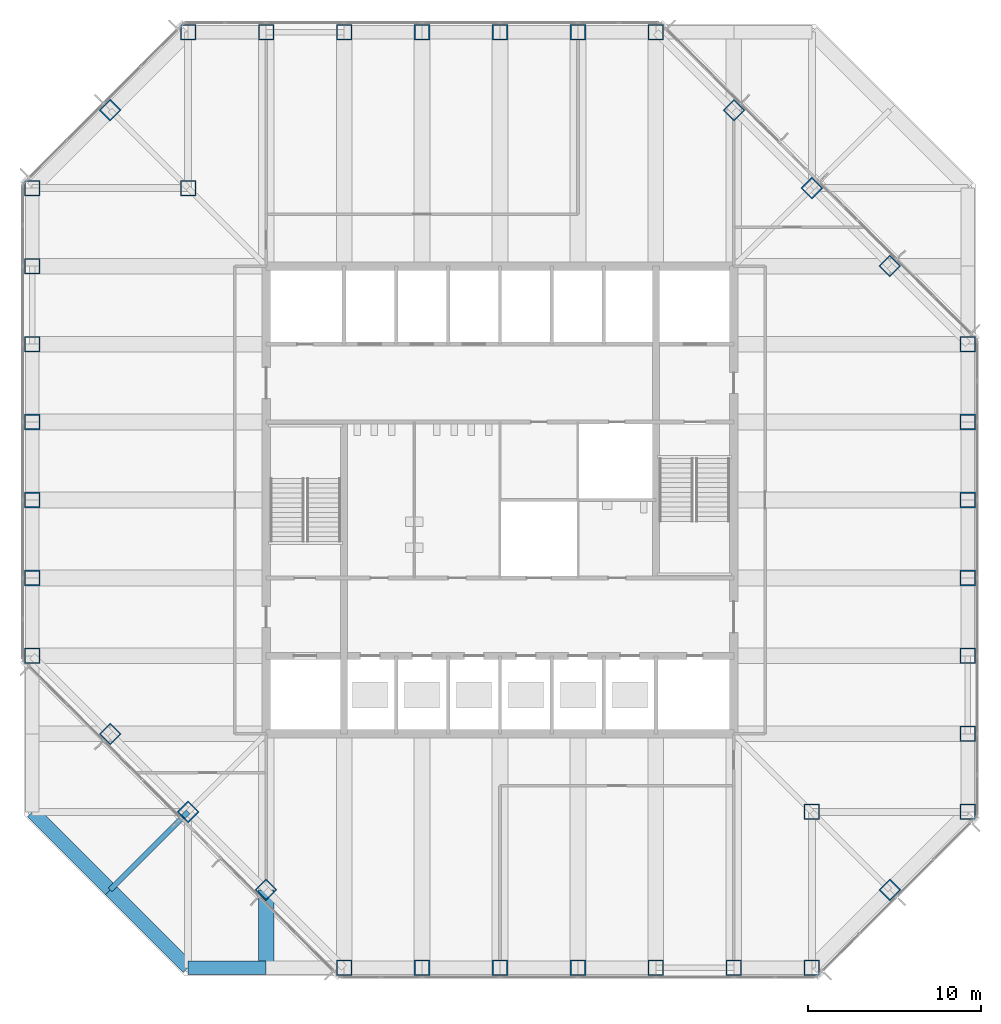
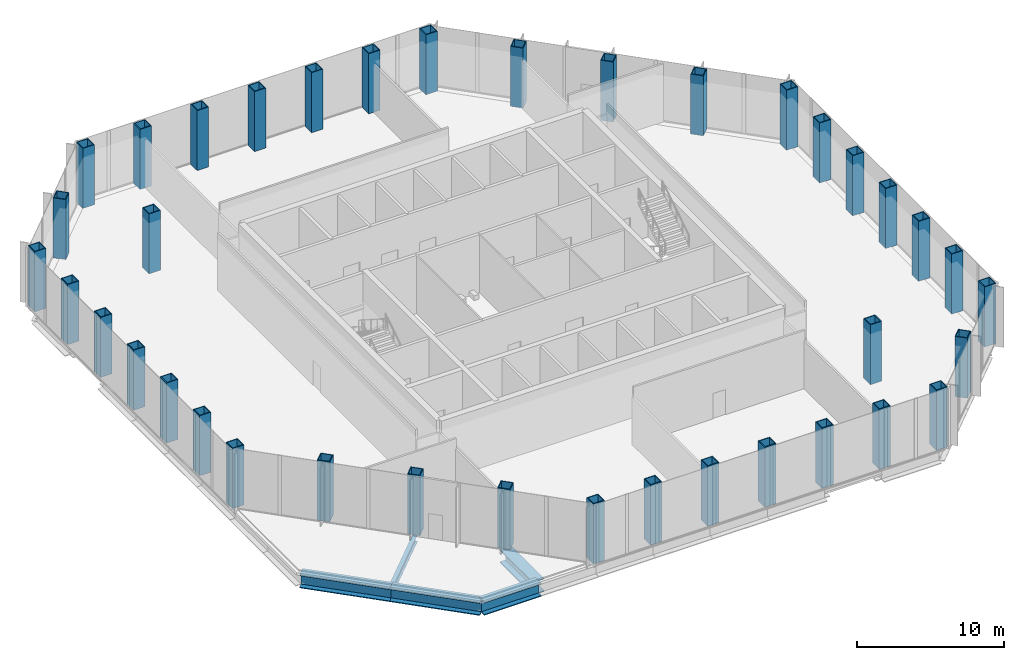
# One storey, part 1 of 12: 38 columns, 5 beams.
"""IFC4 building model written with IfcOpenShell, lengths in metres."""

from ifc_helpers import new_model, si_unit, direction, frame, origin, origin_2d, place, context, subcontext, project, spatial, hollow_rectangle, i_section, extrude, material, material_profile, profile_set, type_object, element, save


model = new_model("IFC4")

# Units and contexts
model_context = context("Model", 3, precision=1e-05, world=origin(), true_north=direction((0.0, 1.0)))
body_context = subcontext(model_context, "Body", "Model", "MODEL_VIEW")
ifc_project = project(units=[si_unit("LENGTHUNIT", "METRE"), si_unit("AREAUNIT", "SQUARE_METRE"), si_unit("VOLUMEUNIT", "CUBIC_METRE"), si_unit("PLANEANGLEUNIT", "RADIAN"), si_unit("MASSUNIT", "GRAM", prefix="KILO")], contexts=[model_context])

# Site, building, storey
site_placement = place(None, origin())
site = spatial("IfcSite", under=ifc_project, at=site_placement, CompositionType="ELEMENT")
building_placement = place(site_placement, origin())
building = spatial("IfcBuilding", under=site, at=building_placement, Name="Corais Broadcast Tower", CompositionType="ELEMENT")
storey_placement = place(building_placement, frame((0.0, 0.0, 110.60009765625)))
storey = spatial("IfcBuildingStorey", under=building, at=storey_placement, Name="L24", CompositionType="ELEMENT", Elevation=110.60009765625)

# Columns
ifc_material_1 = material(Name="Steel ASTM A572 Grade 50", Category="steel")
ifc_material_profile_1 = material_profile(ifc_material_1, hollow_rectangle(XDim=0.89990234375, YDim=0.89990234375, WallThickness=0.06298828125, at=origin_2d()), Name="BOX 900x900x63")
ifc_profile_set_1 = profile_set([ifc_material_profile_1], Name="Steel ASTM A572 Grade 50")
column_type = type_object("IfcColumnType", Name="Column BOX 900x900x63", PredefinedType="COLUMN", material=ifc_profile_set_1)
for number, where, z_axis, x_axis, name in (
    (1, (18.0, 0.0, 0.0), (0.0, 0.0, 1.0), (1.0, 0.0, 0.0), "C2 A/7"),
    (2, (22.5, 0.0, 0.0), (0.0, 0.0, 1.0), (1.0, 0.0, 0.0), "C2 A/8"),
    (3, (27.0, 0.0, 0.0), (0.0, 0.0, 1.0), (1.0, 0.0, 0.0), "C2 A/9"),
    (4, (31.5, 0.0, 0.0), (0.0, 0.0, 1.0), (1.0, 0.0, 0.0), "C2 A/10"),
    (5, (36.0, 0.0, 0.0), (0.0, 0.0, 1.0), (1.0, 0.0, 0.0), "C2 A/11"),
    (6, (40.5, 0.0, 0.0), (0.0, 0.0, 1.0), (1.0, 0.0, 0.0), "C2 A/12"),
    (7, (45.0, 0.0, 0.0), (0.0, 0.0, 1.0), (1.0, 0.0, 0.0), "C2 A/13"),
    (8, (54.0, 9.0, 0.0), (0.0, 0.0, 1.0), (1.0, 0.0, 0.0), "C2 C/15"),
    (9, (54.0, 13.5, 0.0), (0.0, 0.0, 1.0), (1.0, 0.0, 0.0), "C2 D/15"),
    (10, (54.0, 18.0, 0.0), (0.0, 0.0, 1.0), (1.0, 0.0, 0.0), "C2 E/15"),
    (11, (54.0, 22.5, 0.0), (0.0, 0.0, 1.0), (1.0, 0.0, 0.0), "C2 F/15"),
    (12, (54.0, 27.0, 0.0), (0.0, 0.0, 1.0), (1.0, 0.0, 0.0), "C2 G/15"),
    (13, (54.0, 31.5, 0.0), (0.0, 0.0, 1.0), (1.0, 0.0, 0.0), "C2 H/15"),
    (14, (54.0, 36.0, 0.0), (0.0, 0.0, 1.0), (1.0, 0.0, 0.0), "C2 J/15"),
    (15, (36.0, 54.0, 0.0), (0.0, 0.0, 1.0), (1.0, 0.0, 0.0), "C2 N/11"),
    (16, (31.5, 54.0, 0.0), (0.0, 0.0, 1.0), (1.0, 0.0, 0.0), "C2 N/10"),
    (17, (27.0, 54.0, 0.0), (0.0, 0.0, 1.0), (1.0, 0.0, 0.0), "C2 N/9"),
    (18, (22.5, 54.0, 0.0), (0.0, 0.0, 1.0), (1.0, 0.0, 0.0), "C2 N/8"),
    (19, (18.0, 54.0, 0.0), (0.0, 0.0, 1.0), (1.0, 0.0, 0.0), "C2 N/7"),
    (20, (13.5, 54.0, 0.0), (0.0, 0.0, 1.0), (1.0, 0.0, 0.0), "C2 N/6"),
    (21, (9.0, 54.0, 0.0), (0.0, 0.0, 1.0), (1.0, 0.0, 0.0), "C2 N/5"),
    (22, (0.0, 45.0, 0.0), (0.0, 0.0, 1.0), (1.0, 0.0, 0.0), "C2 L/3"),
    (23, (0.0, 40.5, 0.0), (0.0, 0.0, 1.0), (1.0, 0.0, 0.0), "C2 K/3"),
    (24, (0.0, 36.0, 0.0), (0.0, 0.0, 1.0), (1.0, 0.0, 0.0), "C2 J/3"),
    (25, (0.0, 31.5, 0.0), (0.0, 0.0, 1.0), (1.0, 0.0, 0.0), "C2 H/3"),
    (26, (0.0, 27.0, 0.0), (0.0, 0.0, 1.0), (1.0, 0.0, 0.0), "C2 G/3"),
    (27, (0.0, 22.5, 0.0), (0.0, 0.0, 1.0), (1.0, 0.0, 0.0), "C2 F/3"),
    (28, (0.0, 18.0, 0.0), (0.0, 0.0, 1.0), (1.0, 0.0, 0.0), "C2 E/3"),
    (29, (13.5, 4.5, 0.0), (0.0, 0.0, 1.0), (0.707106781187, 0.707106781187, 0.0), "C2 B/6"),
    (30, (9.0, 9.0, 0.0), (0.0, 0.0, 1.0), (0.707106781187, 0.707106781187, 0.0), "C2 C/5"),
    (31, (4.5, 13.5, 0.0), (0.0, 0.0, 1.0), (0.707106781187, 0.707106781187, 0.0), "C2 D/4"),
    (32, (49.5, 4.5, 0.0), (0.0, 0.0, 1.0), (0.707106781187, 0.707106781187, 0.0), "C2 B/14"),
    (33, (49.5, 40.5, 0.0), (0.0, 0.0, 1.0), (0.707106781187, 0.707106781187, 0.0), "C2 K/14"),
    (34, (45.0, 45.0, 0.0), (0.0, 0.0, 1.0), (0.707106781187, 0.707106781187, 0.0), "C2 L/13"),
    (35, (40.5, 49.5, 0.0), (0.0, 0.0, 1.0), (0.707106781187, 0.707106781187, 0.0), "C2 M/12"),
    (36, (4.5, 49.5, 0.0), (0.0, 0.0, 1.0), (0.707106781187, 0.707106781187, 0.0), "C2 M/4"),
    (37, (45.0, 9.0, 0.0), (0.0, 0.0, 1.0), (1.0, 0.0, 0.0), "C2 C/13"),
    (38, (9.0, 45.0, 0.0), (0.0, 0.0, 1.0), (1.0, 0.0, 0.0), "C2 L/5"),
):
    element("IfcColumn", number, at=place(storey_placement, frame(where, z_axis=z_axis, x_axis=x_axis)), inside=storey, type_object=column_type, Name=name, PredefinedType="COLUMN", context=body_context, shape_type="SweptSolid", body=[
        extrude(hollow_rectangle(XDim=0.89990234375, YDim=0.89990234375, WallThickness=0.06298828125, at=origin_2d()), origin(), (0.0, 0.0, 1.0), 5.0),
    ])

# Beams
ifc_material_2 = material(Name="Steel ASTM A572 Grade 50", Category="steel")
ifc_material_profile_2 = material_profile(ifc_material_2, i_section(OverallWidth=0.323974609375, OverallDepth=0.611083984375, WebThickness=0.0126953125, FlangeThickness=0.01904296875, at=origin_2d()), Name="W610x155")
ifc_profile_set_2 = profile_set([ifc_material_profile_2], Name="Steel ASTM A572 Grade 50")
beam_type_1 = type_object("IfcBeamType", Name="Chamfer tie W610x155", PredefinedType="BEAM", material=ifc_profile_set_2)
beam_1_placement = place(storey_placement, frame((4.5, 4.5, -0.505615234375), z_axis=(0.707106781187, 0.707106781187, 0.0), x_axis=(-0.707106781187, 0.707106781187, 0.0)))
element("IfcBeam", 39, at=beam_1_placement, inside=storey, type_object=beam_type_1, Name="B5 B/4 to C/5", PredefinedType="BEAM", context=body_context, shape_type="SweptSolid", body=[
    extrude(i_section(OverallWidth=0.323974609375, OverallDepth=0.611083984375, WebThickness=0.0126953125, FlangeThickness=0.01904296875, at=origin_2d()), origin(), (0.0, 0.0, 1.0), 6.364013671875),
])
ifc_material_3 = material(Name="Steel ASTM A572 Grade 50", Category="steel")
ifc_material_profile_3 = material_profile(ifc_material_3, i_section(OverallWidth=0.800048828125, OverallDepth=1.10009765625, WebThickness=0.030029296875, FlangeThickness=0.070068359375, at=origin_2d()), Name="PG1100x1105")
ifc_profile_set_3 = profile_set([ifc_material_profile_3], Name="Steel ASTM A572 Grade 50")
beam_type_2 = type_object("IfcBeamType", Name="Pinned transfer spandrel PG1100x1105", PredefinedType="BEAM", material=ifc_profile_set_3)
beam_2_placement = place(storey_placement, frame((9.0, 0.0, -0.75), z_axis=(1.0, 0.0, 0.0), x_axis=(0.0, 1.0, 0.0)))
element("IfcBeam", 40, at=beam_2_placement, inside=storey, type_object=beam_type_2, Name="SB9 A/5 to A/6", PredefinedType="BEAM", context=body_context, shape_type="SweptSolid", body=[
    extrude(i_section(OverallWidth=0.800048828125, OverallDepth=1.10009765625, WebThickness=0.030029296875, FlangeThickness=0.070068359375, at=origin_2d()), origin(), (0.0, 0.0, 1.0), 4.5),
])
ifc_material_4 = material(Name="Steel ASTM A572 Grade 50", Category="steel")
ifc_material_profile_4 = material_profile(ifc_material_4, i_section(OverallWidth=0.89990234375, OverallDepth=1.10009765625, WebThickness=0.030029296875, FlangeThickness=0.080078125, at=origin_2d()), Name="PG1100x1352")
ifc_profile_set_4 = profile_set([ifc_material_profile_4], Name="Steel ASTM A572 Grade 50")
beam_type_3 = type_object("IfcBeamType", Name="Transfer floor beam PG1100x1352", PredefinedType="BEAM", material=ifc_profile_set_4)
beam_3_placement = place(storey_placement, frame((13.5, 0.0, -0.75), z_axis=(0.0, 1.0, 0.0), x_axis=(-1.0, 0.0, 0.0)))
element("IfcBeam", 41, at=beam_3_placement, inside=storey, type_object=beam_type_3, Name="B10 A/6 to B/6", PredefinedType="BEAM", context=body_context, shape_type="SweptSolid", body=[
    extrude(i_section(OverallWidth=0.89990234375, OverallDepth=1.10009765625, WebThickness=0.030029296875, FlangeThickness=0.080078125, at=origin_2d()), origin(), (0.0, 0.0, 1.0), 4.5),
])
ifc_material_5 = material(Name="Steel ASTM A572 Grade 50", Category="steel")
ifc_material_profile_5 = material_profile(ifc_material_5, i_section(OverallWidth=0.800048828125, OverallDepth=1.10009765625, WebThickness=0.030029296875, FlangeThickness=0.070068359375, at=origin_2d()), Name="PG1100x1105")
ifc_profile_set_5 = profile_set([ifc_material_profile_5], Name="Steel ASTM A572 Grade 50")
beam_type_4 = type_object("IfcBeamType", Name="Transfer spandrel PG1100x1105", PredefinedType="BEAM", material=ifc_profile_set_5)
for number, where, z_axis, x_axis, name in (
    (42, (0.0, 9.0, -0.75), (0.707106781187, -0.707106781187, 0.0), (0.707106781187, 0.707106781187, 0.0), "SB8 C/3 to B/4"),
    (43, (4.5, 4.5, -0.75), (0.707106781187, -0.707106781187, 0.0), (0.707106781187, 0.707106781187, 0.0), "SB8 B/4 to A/5"),
):
    element("IfcBeam", number, at=place(storey_placement, frame(where, z_axis=z_axis, x_axis=x_axis)), inside=storey, type_object=beam_type_4, Name=name, PredefinedType="BEAM", context=body_context, shape_type="SweptSolid", body=[
        extrude(i_section(OverallWidth=0.800048828125, OverallDepth=1.10009765625, WebThickness=0.030029296875, FlangeThickness=0.070068359375, at=origin_2d()), origin(), (0.0, 0.0, 1.0), 6.364013671875),
    ])

save(model, "model.ifc")
